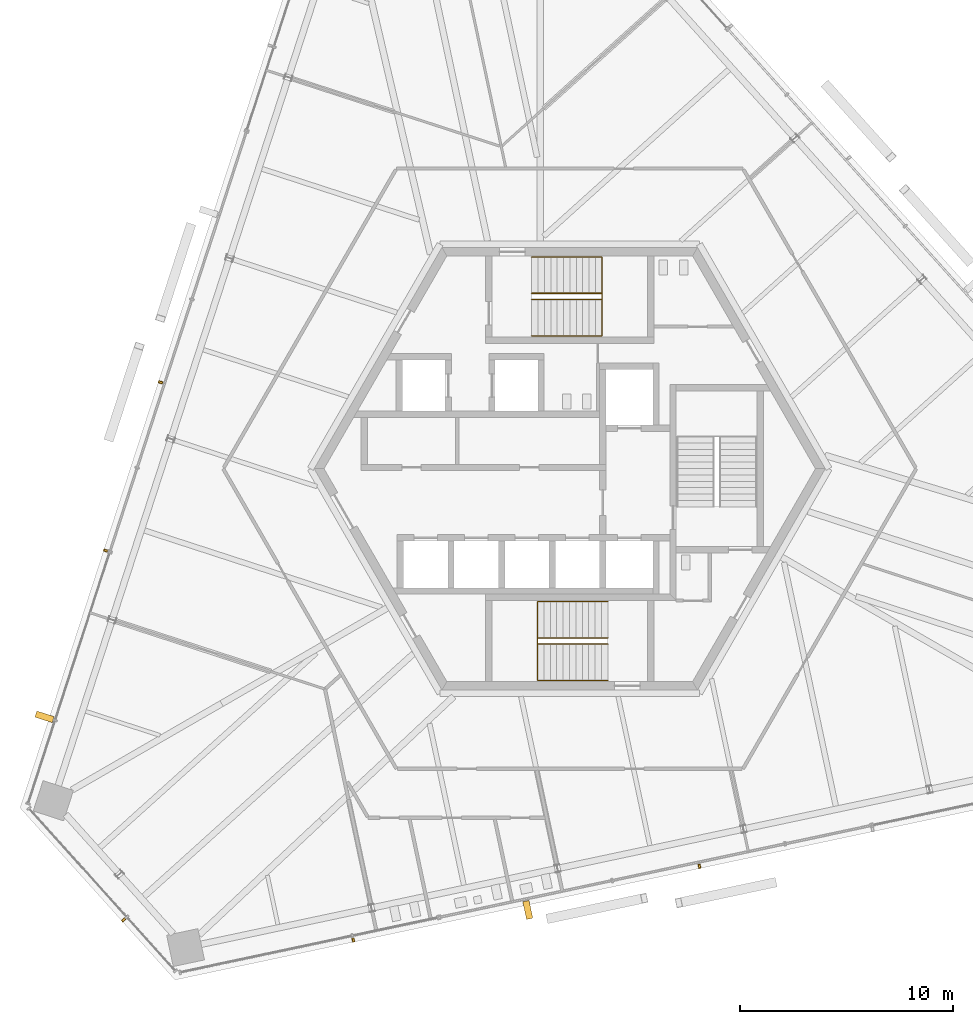
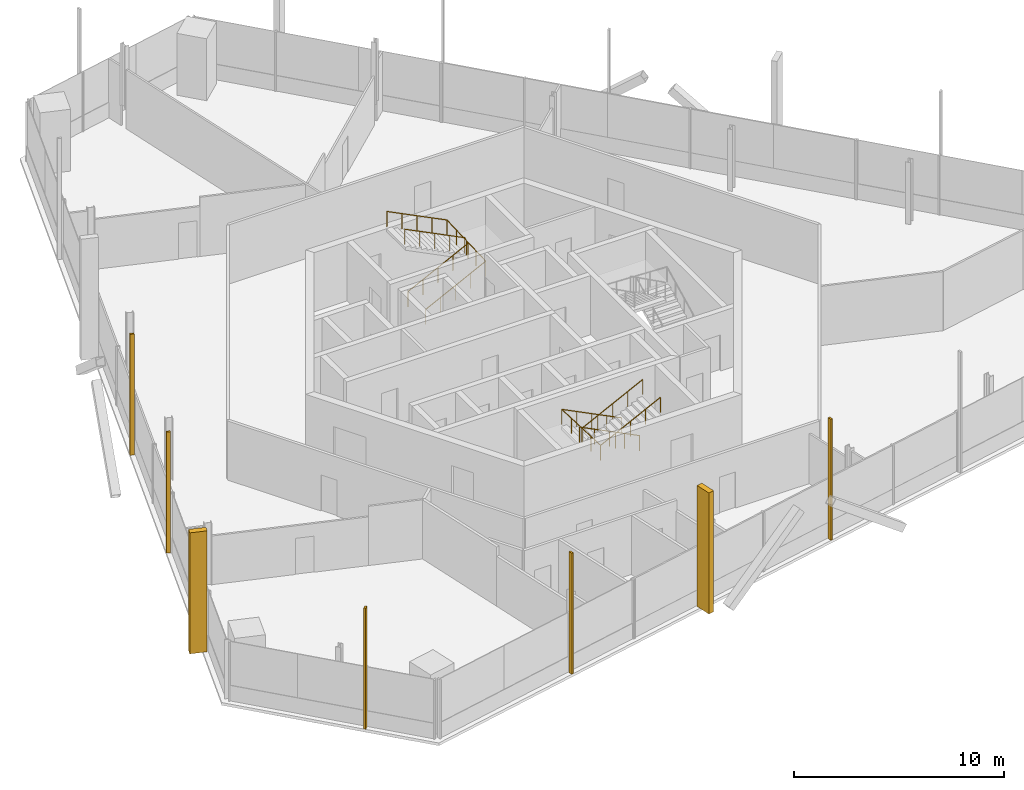
# One storey, part 14 of 17: 7 shading devices, 4 railings.
"""IFC4 building model written with IfcOpenShell, lengths in metres."""

from ifc_helpers import new_model, si_unit, direction, frame, origin, origin_2d, place, context, subcontext, project, spatial, rectangle, circle, extrude, source, transform, mapped, material, type_object, element, save


model = new_model("IFC4")

# Units and contexts
model_context = context("Model", 3, precision=1e-05, world=origin(), true_north=direction((0.0, 1.0)))
body_context = subcontext(model_context, "Body", "Model", "MODEL_VIEW")
ifc_project = project(units=[si_unit("LENGTHUNIT", "METRE"), si_unit("AREAUNIT", "SQUARE_METRE"), si_unit("VOLUMEUNIT", "CUBIC_METRE"), si_unit("PLANEANGLEUNIT", "RADIAN"), si_unit("MASSUNIT", "GRAM", prefix="KILO")], contexts=[model_context])

# Site, building, storey
site_placement = place(None, origin())
site = spatial("IfcSite", under=ifc_project, at=site_placement, CompositionType="ELEMENT")
building_placement = place(site_placement, origin())
building = spatial("IfcBuilding", under=site, at=building_placement, Name="Triune Harvest Tower", CompositionType="ELEMENT")
storey_placement = place(building_placement, frame((0.0, 0.0, 273.89990234375)))
storey = spatial("IfcBuildingStorey", under=building, at=storey_placement, Name="L72", CompositionType="ELEMENT", Elevation=273.89990234375)

# Railings
ifc_material_1 = material(Name="Stainless steel AISI 316", Category="steel")
railing_type = type_object("IfcRailingType", Name="Stair handrail", PredefinedType="HANDRAIL", material=ifc_material_1)
shared_shape_1 = source(origin(), body_context, "Body", "SweptSolid", [
    extrude(circle(Radius=0.02392578125, at=origin_2d()), frame((0.0, 0.0, 0.8759765625), z_axis=(0.894440424912, 0.0, 0.447187126696), x_axis=(0.0, 1.0, 0.0)), (0.0, 0.0, 1.0), 3.689453125),
    extrude(circle(Radius=0.02392578125, at=origin_2d()), frame((3.300048828125, 0.0, 2.52587890625), z_axis=(0.0, 0.999177620331, 0.040547293732), x_axis=(-1.0, 0.0, 0.0)), (0.0, 0.0, 1.0), 3.702880859375),
    extrude(circle(Radius=0.02392578125, at=origin_2d()), frame((3.300048828125, 3.699951171875, 2.67578125), z_axis=(-0.894440424912, 0.0, 0.447187126696), x_axis=(0.0, -1.0, 0.0)), (0.0, 0.0, 1.0), 3.689453125),
    extrude(circle(Radius=0.02099609375, at=origin_2d()), origin(), (0.0, 0.0, 1.0), 0.851806640625),
    extrude(circle(Radius=0.02099609375, at=origin_2d()), frame((0.824951171875, 0.0, 0.41259765625)), (0.0, 0.0, 1.0), 0.851806640625),
    extrude(circle(Radius=0.02099609375, at=origin_2d()), frame((1.64990234375, 0.0, 0.824951171875)), (0.0, 0.0, 1.0), 0.851806640625),
    extrude(circle(Radius=0.02099609375, at=origin_2d()), frame((2.47509765625, 0.0, 1.2373046875)), (0.0, 0.0, 1.0), 0.851806640625),
    extrude(circle(Radius=0.02099609375, at=origin_2d()), frame((3.300048828125, 0.0, 1.64990234375)), (0.0, 0.0, 1.0), 0.851806640625),
    extrude(circle(Radius=0.02099609375, at=origin_2d()), frame((3.300048828125, 0.925048828125, 1.6875)), (0.0, 0.0, 1.0), 0.851806640625),
    extrude(circle(Radius=0.02099609375, at=origin_2d()), frame((3.300048828125, 1.85009765625, 1.72509765625)), (0.0, 0.0, 1.0), 0.851806640625),
    extrude(circle(Radius=0.02099609375, at=origin_2d()), frame((3.300048828125, 2.77490234375, 1.762451171875)), (0.0, 0.0, 1.0), 0.851806640625),
    extrude(circle(Radius=0.02099609375, at=origin_2d()), frame((3.300048828125, 3.699951171875, 1.800048828125)), (0.0, 0.0, 1.0), 0.851806640625),
    extrude(circle(Radius=0.02099609375, at=origin_2d()), frame((2.47509765625, 3.699951171875, 2.21240234375)), (0.0, 0.0, 1.0), 0.851806640625),
    extrude(circle(Radius=0.02099609375, at=origin_2d()), frame((1.64990234375, 3.699951171875, 2.625)), (0.0, 0.0, 1.0), 0.851806640625),
    extrude(circle(Radius=0.02099609375, at=origin_2d()), frame((0.824951171875, 3.699951171875, 3.03759765625)), (0.0, 0.0, 1.0), 0.851806640625),
    extrude(circle(Radius=0.02099609375, at=origin_2d()), frame((0.0, 3.699951171875, 3.449951171875)), (0.0, 0.0, 1.0), 0.851806640625),
])
railing_1_placement = place(storey_placement, frame((-1.7900390625, 6.239990234375, 0.150146484375)))
element("IfcRailing", 1, at=railing_1_placement, inside=storey, type_object=railing_type, Name="Exit stair north wall handrail", PredefinedType="HANDRAIL", context=body_context, shape_type="MappedRepresentation", body=[
    mapped(shared_shape_1, transform((0.0, 0.0, 0.0), scale=1.0)),
])
shared_shape_2 = source(origin(), body_context, "Body", "SweptSolid", [
    extrude(circle(Radius=0.02392578125, at=origin_2d()), frame((0.0, 0.0, 0.8759765625), z_axis=(0.894440424912, 0.0, 0.447187126696), x_axis=(0.0, 1.0, 0.0)), (0.0, 0.0, 1.0), 3.689453125),
    extrude(circle(Radius=0.02392578125, at=origin_2d()), frame((3.300048828125, 0.0, 2.52587890625), z_axis=(0.0, 0.894281613681, 0.447504631744), x_axis=(-1.0, 0.0, 0.0)), (0.0, 0.0, 1.0), 0.33544921875),
    extrude(circle(Radius=0.02392578125, at=origin_2d()), frame((3.300048828125, 0.300048828125, 2.67578125), z_axis=(-0.894440424912, 0.0, 0.447187126696), x_axis=(0.0, -1.0, 0.0)), (0.0, 0.0, 1.0), 3.689453125),
    extrude(circle(Radius=0.02099609375, at=origin_2d()), origin(), (0.0, 0.0, 1.0), 0.851806640625),
    extrude(circle(Radius=0.02099609375, at=origin_2d()), frame((0.824951171875, 0.0, 0.41259765625)), (0.0, 0.0, 1.0), 0.851806640625),
    extrude(circle(Radius=0.02099609375, at=origin_2d()), frame((1.64990234375, 0.0, 0.824951171875)), (0.0, 0.0, 1.0), 0.851806640625),
    extrude(circle(Radius=0.02099609375, at=origin_2d()), frame((2.47509765625, 0.0, 1.2373046875)), (0.0, 0.0, 1.0), 0.851806640625),
    extrude(circle(Radius=0.02099609375, at=origin_2d()), frame((3.300048828125, 0.0, 1.64990234375)), (0.0, 0.0, 1.0), 0.851806640625),
    extrude(circle(Radius=0.02099609375, at=origin_2d()), frame((3.300048828125, 0.300048828125, 1.800048828125)), (0.0, 0.0, 1.0), 0.851806640625),
    extrude(circle(Radius=0.02099609375, at=origin_2d()), frame((2.47509765625, 0.300048828125, 2.21240234375)), (0.0, 0.0, 1.0), 0.851806640625),
    extrude(circle(Radius=0.02099609375, at=origin_2d()), frame((1.64990234375, 0.300048828125, 2.625)), (0.0, 0.0, 1.0), 0.851806640625),
    extrude(circle(Radius=0.02099609375, at=origin_2d()), frame((0.824951171875, 0.300048828125, 3.03759765625)), (0.0, 0.0, 1.0), 0.851806640625),
    extrude(circle(Radius=0.02099609375, at=origin_2d()), frame((0.0, 0.300048828125, 3.449951171875)), (0.0, 0.0, 1.0), 0.851806640625),
])
railing_2_placement = place(storey_placement, frame((-1.7900390625, 7.93994140625, 0.150146484375)))
element("IfcRailing", 2, at=railing_2_placement, inside=storey, type_object=railing_type, Name="Exit stair north centre handrail", PredefinedType="HANDRAIL", context=body_context, shape_type="MappedRepresentation", body=[
    mapped(shared_shape_2, transform((0.0, 0.0, 0.0), scale=1.0)),
])
shared_shape_3 = source(origin(), body_context, "Body", "SweptSolid", [
    extrude(circle(Radius=0.02392578125, at=origin_2d()), frame((0.0, 0.0, 0.8759765625), z_axis=(-0.894440424912, 0.0, 0.447187126696), x_axis=(0.0, -1.0, 0.0)), (0.0, 0.0, 1.0), 3.689453125),
    extrude(circle(Radius=0.02392578125, at=origin_2d()), frame((-3.300048828125, 0.0, 2.52587890625), z_axis=(0.0, -0.999177620331, 0.040547293732), x_axis=(1.0, 0.0, 0.0)), (0.0, 0.0, 1.0), 3.702880859375),
    extrude(circle(Radius=0.02392578125, at=origin_2d()), frame((-3.300048828125, -3.699951171875, 2.67578125), z_axis=(0.894440424912, 0.0, 0.447187126696), x_axis=(0.0, 1.0, 0.0)), (0.0, 0.0, 1.0), 3.689453125),
    extrude(circle(Radius=0.02099609375, at=origin_2d()), origin(), (0.0, 0.0, 1.0), 0.851806640625),
    extrude(circle(Radius=0.02099609375, at=origin_2d()), frame((-0.824951171875, 0.0, 0.41259765625)), (0.0, 0.0, 1.0), 0.851806640625),
    extrude(circle(Radius=0.02099609375, at=origin_2d()), frame((-1.64990234375, 0.0, 0.824951171875)), (0.0, 0.0, 1.0), 0.851806640625),
    extrude(circle(Radius=0.02099609375, at=origin_2d()), frame((-2.47509765625, 0.0, 1.2373046875)), (0.0, 0.0, 1.0), 0.851806640625),
    extrude(circle(Radius=0.02099609375, at=origin_2d()), frame((-3.300048828125, 0.0, 1.64990234375)), (0.0, 0.0, 1.0), 0.851806640625),
    extrude(circle(Radius=0.02099609375, at=origin_2d()), frame((-3.300048828125, -0.925048828125, 1.6875)), (0.0, 0.0, 1.0), 0.851806640625),
    extrude(circle(Radius=0.02099609375, at=origin_2d()), frame((-3.300048828125, -1.85009765625, 1.72509765625)), (0.0, 0.0, 1.0), 0.851806640625),
    extrude(circle(Radius=0.02099609375, at=origin_2d()), frame((-3.300048828125, -2.77490234375, 1.762451171875)), (0.0, 0.0, 1.0), 0.851806640625),
    extrude(circle(Radius=0.02099609375, at=origin_2d()), frame((-3.300048828125, -3.699951171875, 1.800048828125)), (0.0, 0.0, 1.0), 0.851806640625),
    extrude(circle(Radius=0.02099609375, at=origin_2d()), frame((-2.47509765625, -3.699951171875, 2.21240234375)), (0.0, 0.0, 1.0), 0.851806640625),
    extrude(circle(Radius=0.02099609375, at=origin_2d()), frame((-1.64990234375, -3.699951171875, 2.625)), (0.0, 0.0, 1.0), 0.851806640625),
    extrude(circle(Radius=0.02099609375, at=origin_2d()), frame((-0.824951171875, -3.699951171875, 3.03759765625)), (0.0, 0.0, 1.0), 0.851806640625),
    extrude(circle(Radius=0.02099609375, at=origin_2d()), frame((0.0, -3.699951171875, 3.449951171875)), (0.0, 0.0, 1.0), 0.851806640625),
])
railing_3_placement = place(storey_placement, frame((1.7900390625, -6.239990234375, 0.150146484375)))
element("IfcRailing", 3, at=railing_3_placement, inside=storey, type_object=railing_type, Name="Exit stair south wall handrail", PredefinedType="HANDRAIL", context=body_context, shape_type="MappedRepresentation", body=[
    mapped(shared_shape_3, transform((0.0, 0.0, 0.0), scale=1.0)),
])
shared_shape_4 = source(origin(), body_context, "Body", "SweptSolid", [
    extrude(circle(Radius=0.02392578125, at=origin_2d()), frame((0.0, 0.0, 0.8759765625), z_axis=(-0.894440424912, 0.0, 0.447187126696), x_axis=(0.0, -1.0, 0.0)), (0.0, 0.0, 1.0), 3.689453125),
    extrude(circle(Radius=0.02392578125, at=origin_2d()), frame((-3.300048828125, 0.0, 2.52587890625), z_axis=(0.0, -0.894281613681, 0.447504631744), x_axis=(1.0, 0.0, 0.0)), (0.0, 0.0, 1.0), 0.33544921875),
    extrude(circle(Radius=0.02392578125, at=origin_2d()), frame((-3.300048828125, -0.300048828125, 2.67578125), z_axis=(0.894440424912, 0.0, 0.447187126696), x_axis=(0.0, 1.0, 0.0)), (0.0, 0.0, 1.0), 3.689453125),
    extrude(circle(Radius=0.02099609375, at=origin_2d()), origin(), (0.0, 0.0, 1.0), 0.851806640625),
    extrude(circle(Radius=0.02099609375, at=origin_2d()), frame((-0.824951171875, 0.0, 0.41259765625)), (0.0, 0.0, 1.0), 0.851806640625),
    extrude(circle(Radius=0.02099609375, at=origin_2d()), frame((-1.64990234375, 0.0, 0.824951171875)), (0.0, 0.0, 1.0), 0.851806640625),
    extrude(circle(Radius=0.02099609375, at=origin_2d()), frame((-2.47509765625, 0.0, 1.2373046875)), (0.0, 0.0, 1.0), 0.851806640625),
    extrude(circle(Radius=0.02099609375, at=origin_2d()), frame((-3.300048828125, 0.0, 1.64990234375)), (0.0, 0.0, 1.0), 0.851806640625),
    extrude(circle(Radius=0.02099609375, at=origin_2d()), frame((-3.300048828125, -0.300048828125, 1.800048828125)), (0.0, 0.0, 1.0), 0.851806640625),
    extrude(circle(Radius=0.02099609375, at=origin_2d()), frame((-2.47509765625, -0.300048828125, 2.21240234375)), (0.0, 0.0, 1.0), 0.851806640625),
    extrude(circle(Radius=0.02099609375, at=origin_2d()), frame((-1.64990234375, -0.300048828125, 2.625)), (0.0, 0.0, 1.0), 0.851806640625),
    extrude(circle(Radius=0.02099609375, at=origin_2d()), frame((-0.824951171875, -0.300048828125, 3.03759765625)), (0.0, 0.0, 1.0), 0.851806640625),
    extrude(circle(Radius=0.02099609375, at=origin_2d()), frame((0.0, -0.300048828125, 3.449951171875)), (0.0, 0.0, 1.0), 0.851806640625),
])
railing_4_placement = place(storey_placement, frame((1.7900390625, -7.93994140625, 0.150146484375)))
element("IfcRailing", 4, at=railing_4_placement, inside=storey, type_object=railing_type, Name="Exit stair south centre handrail", PredefinedType="HANDRAIL", context=body_context, shape_type="MappedRepresentation", body=[
    mapped(shared_shape_4, transform((0.0, 0.0, 0.0), scale=1.0)),
])

# Shading devices
ifc_material_2 = material(Name="Aluminium bronze anodised", Category="aluminium")
shared_shape_5 = source(origin(), body_context, "Body", "SweptSolid", [
    extrude(rectangle(XDim=0.10009765625, YDim=0.199951171875, at=origin_2d()), origin(), (0.0, 0.0, 1.0), 7.0400390625),
])
for number, where, z_axis, x_axis, name in (
    (5, (-19.216064453125, 4.058837890625, 0.0), (0.0, 0.0, 1.0), (-0.309016354995, -0.951056724042, 0.0), "FN-1 fin B7-F3.7 L72"),
    (6, (-21.78466796875, -3.845947265625, 0.0), (0.0, 0.0, 1.0), (-0.309016354995, -0.951056724042, 0.0), "FN-1 fin B7-F3.9 L72"),
    (7, (-20.944580078125, -21.1806640625, 0.0), (0.0, 0.0, 1.0), (0.669132031472, -0.743143542297, 0.0), "FN-1 fin B7-F4.3 L72"),
    (8, (-10.1669921875, -22.127197265625, 0.0), (0.0, 0.0, 1.0), (0.978147751834, 0.207910979944, 0.0), "FN-1 fin B7-F5.3 L72"),
    (9, (6.093017578125, -18.671142578125, 0.0), (0.0, 0.0, 1.0), (0.978147751834, 0.207910979944, 0.0), "FN-1 fin B7-F5.7 L72"),
):
    element("IfcShadingDevice", number, at=place(storey_placement, frame(where, z_axis=z_axis, x_axis=x_axis)), inside=storey, material=ifc_material_2, Name=name, ObjectType="FIN", PredefinedType="USERDEFINED", context=body_context, shape_type="MappedRepresentation", body=[
        mapped(shared_shape_5, transform((0.0, 0.0, 0.0), scale=1.0)),
    ])
shared_shape_6 = source(origin(), body_context, "Body", "SweptSolid", [
    extrude(rectangle(XDim=0.300048828125, YDim=0.85009765625, at=origin_2d()), origin(), (0.0, 0.0, 1.0), 7.0400390625),
])
for number, where, z_axis, x_axis, name in (
    (10, (-24.662109375, -11.650390625, 0.0), (0.0, 0.0, 1.0), (-0.309016354995, -0.951056724042, 0.0), "FN-2 fin B7-F3.11 L72"),
    (11, (-1.969482421875, -20.717041015625, 0.0), (0.0, 0.0, 1.0), (0.978147751834, 0.207910979944, 0.0), "FN-2 fin B7-F5.5 L72"),
):
    element("IfcShadingDevice", number, at=place(storey_placement, frame(where, z_axis=z_axis, x_axis=x_axis)), inside=storey, material=ifc_material_2, Name=name, ObjectType="FIN", PredefinedType="USERDEFINED", context=body_context, shape_type="MappedRepresentation", body=[
        mapped(shared_shape_6, transform((0.0, 0.0, 0.0), scale=1.0)),
    ])

save(model, "model.ifc")
